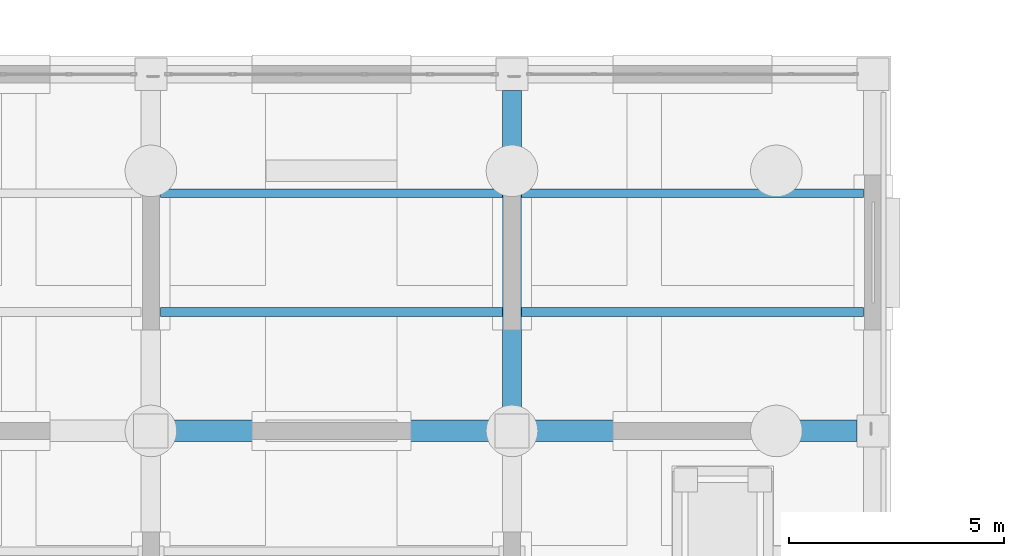
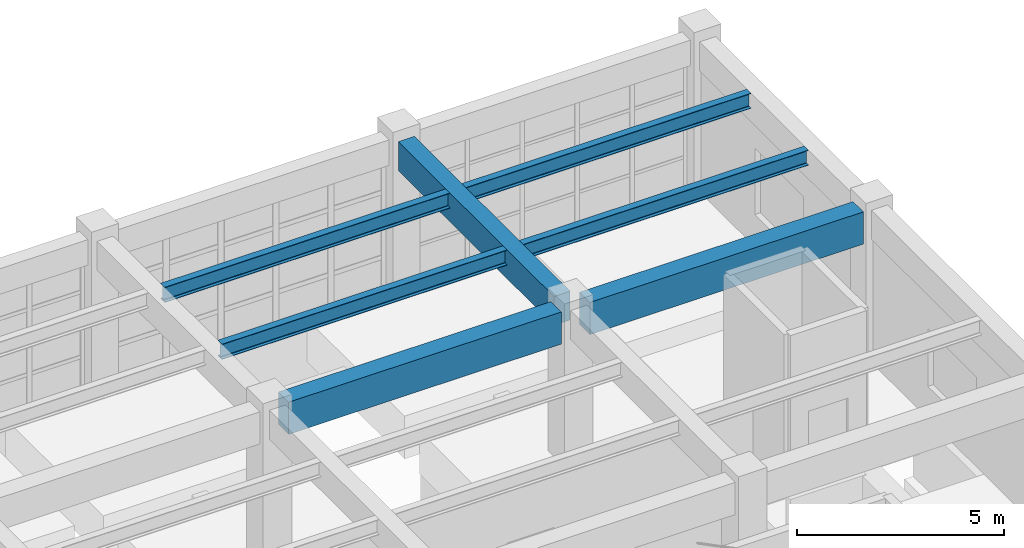
# One storey, part 38 of 111: 7 beams.
"""IFC4 building model written with IfcOpenShell, lengths in metres."""

from ifc_helpers import new_model, si_unit, direction, frame, origin, origin_2d, place, context, subcontext, project, spatial, rectangle, i_section, extrude, material, material_profile, profile_set, type_object, element, save


model = new_model("IFC4")

# Units and contexts
model_context = context("Model", 3, precision=1e-05, world=origin(), true_north=direction((0.0, 1.0)))
body_context = subcontext(model_context, "Body", "Model", "MODEL_VIEW")
ifc_project = project(units=[si_unit("LENGTHUNIT", "METRE"), si_unit("AREAUNIT", "SQUARE_METRE"), si_unit("VOLUMEUNIT", "CUBIC_METRE"), si_unit("PLANEANGLEUNIT", "RADIAN"), si_unit("MASSUNIT", "GRAM", prefix="KILO")], contexts=[model_context])

# Site, building, storey
site_placement = place(None, origin())
site = spatial("IfcSite", under=ifc_project, at=site_placement, CompositionType="ELEMENT")
building_placement = place(site_placement, origin())
building = spatial("IfcBuilding", under=site, at=building_placement, Name="Canglan Escarpment Cableway Terminal", CompositionType="ELEMENT")
storey_placement = place(building_placement, frame((0.0, 0.0, 4.800048828125)))
storey = spatial("IfcBuildingStorey", under=building, at=storey_placement, Name="L01", CompositionType="ELEMENT", Elevation=4.800048828125)

# Beams
ifc_material_1 = material(Name="Concrete C40", Category="concrete")
ifc_material_profile_1 = material_profile(ifc_material_1, rectangle(XDim=0.449951171875, YDim=0.85009765625, at=origin_2d()), Name="RC 450x850")
ifc_profile_set_1 = profile_set([ifc_material_profile_1], Name="Concrete C40")
beam_type_1 = type_object("IfcBeamType", Name="BM-RC450x850", PredefinedType="BEAM", material=ifc_profile_set_1)
beam_1_placement = place(storey_placement, frame((128.300048828125, 25.199951171875, 4.054931640625), z_axis=(0.0, 1.0, 0.0), x_axis=(-1.0, 0.0, 0.0)))
element("IfcBeam", 1, at=beam_1_placement, inside=storey, type_object=beam_type_1, Name="Primary transverse girder B-02", PredefinedType="BEAM", context=body_context, shape_type="SweptSolid", body=[
    extrude(rectangle(XDim=0.449951171875, YDim=0.85009765625, at=origin_2d()), origin(), (0.0, 0.0, 1.0), 7.525146484375),
])
ifc_material_2 = material(Name="Concrete C50", Category="concrete")
ifc_material_profile_2 = material_profile(ifc_material_2, rectangle(XDim=0.5, YDim=0.949951171875, at=origin_2d()), Name="RC 500x950")
ifc_profile_set_2 = profile_set([ifc_material_profile_2], Name="Concrete C50")
beam_type_2 = type_object("IfcBeamType", Name="BM-RC500x950", PredefinedType="BEAM", material=ifc_profile_set_2)
beam_2_placement = place(storey_placement, frame((120.300048828125, 24.800048828125, 4.0048828125), z_axis=(1.0, 0.0, 0.0), x_axis=(0.0, 1.0, 0.0)))
element("IfcBeam", 2, at=beam_2_placement, inside=storey, type_object=beam_type_2, Name="Primary structural girder B-01", PredefinedType="BEAM", context=body_context, shape_type="SweptSolid", body=[
    extrude(rectangle(XDim=0.5, YDim=0.949951171875, at=origin_2d()), origin(), (0.0, 0.0, 1.0), 7.599853515625),
])
beam_3_placement = place(storey_placement, frame((128.699951171875, 24.800048828125, 4.0048828125), z_axis=(1.0, 0.0, 0.0), x_axis=(0.0, 1.0, 0.0)))
element("IfcBeam", 3, at=beam_3_placement, inside=storey, type_object=beam_type_2, Name="Primary structural girder B-01", PredefinedType="BEAM", context=body_context, shape_type="SweptSolid", body=[
    extrude(rectangle(XDim=0.5, YDim=0.949951171875, at=origin_2d()), origin(), (0.0, 0.0, 1.0), 7.625),
])
ifc_material_3 = material(Name="Steel Q355B", Category="steel")
ifc_material_profile_3 = material_profile(ifc_material_3, i_section(OverallWidth=0.199951171875, OverallDepth=0.449951171875, WebThickness=0.009033203125, FlangeThickness=0.013916015625, FilletRadius=0.01806640625, at=origin_2d()), Name="HN 450x200x9x14")
ifc_profile_set_3 = profile_set([ifc_material_profile_3], Name="Steel Q355B")
beam_type_3 = type_object("IfcBeamType", Name="JS-HN450", PredefinedType="JOIST", material=ifc_profile_set_3)
for number, where, z_axis, x_axis, name in (
    (4, (120.125, 27.566650390625, 4.2548828125), (1.0, 0.0, 0.0), (0.0, 1.0, 0.0), "Secondary composite deck joist J-02"),
    (5, (120.125, 30.333251953125, 4.2548828125), (1.0, 0.0, 0.0), (0.0, 1.0, 0.0), "Secondary composite deck joist J-02"),
):
    element("IfcBeam", number, at=place(storey_placement, frame(where, z_axis=z_axis, x_axis=x_axis)), inside=storey, type_object=beam_type_3, Name=name, PredefinedType="JOIST", context=body_context, shape_type="SweptSolid", body=[
        extrude(i_section(OverallWidth=0.199951171875, OverallDepth=0.449951171875, WebThickness=0.009033203125, FlangeThickness=0.013916015625, FilletRadius=0.01806640625, at=origin_2d()), origin(), (0.0, 0.0, 1.0), 7.949951171875),
    ])
for number, where, z_axis, x_axis, name in (
    (6, (128.52490234375, 27.566650390625, 4.2548828125), (1.0, 0.0, 0.0), (0.0, 1.0, 0.0), "Secondary composite deck joist J-02"),
    (7, (128.52490234375, 30.333251953125, 4.2548828125), (1.0, 0.0, 0.0), (0.0, 1.0, 0.0), "Secondary composite deck joist J-02"),
):
    element("IfcBeam", number, at=place(storey_placement, frame(where, z_axis=z_axis, x_axis=x_axis)), inside=storey, type_object=beam_type_3, Name=name, PredefinedType="JOIST", context=body_context, shape_type="SweptSolid", body=[
        extrude(i_section(OverallWidth=0.199951171875, OverallDepth=0.449951171875, WebThickness=0.009033203125, FlangeThickness=0.013916015625, FilletRadius=0.01806640625, at=origin_2d()), origin(), (0.0, 0.0, 1.0), 7.9501953125),
    ])

save(model, "model.ifc")
